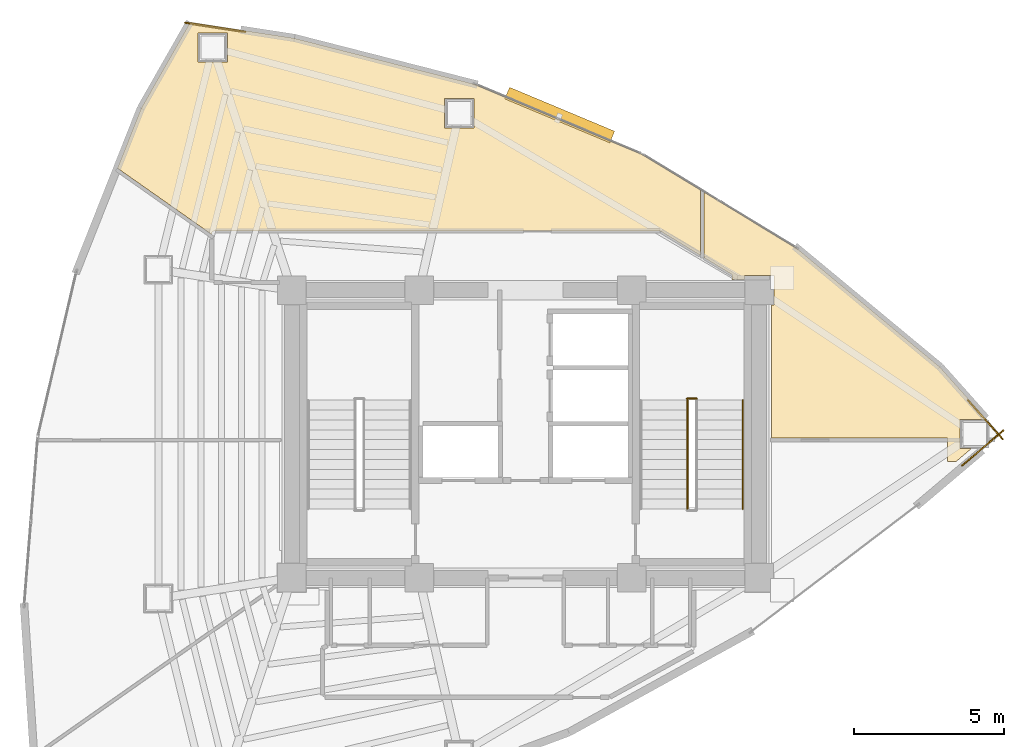
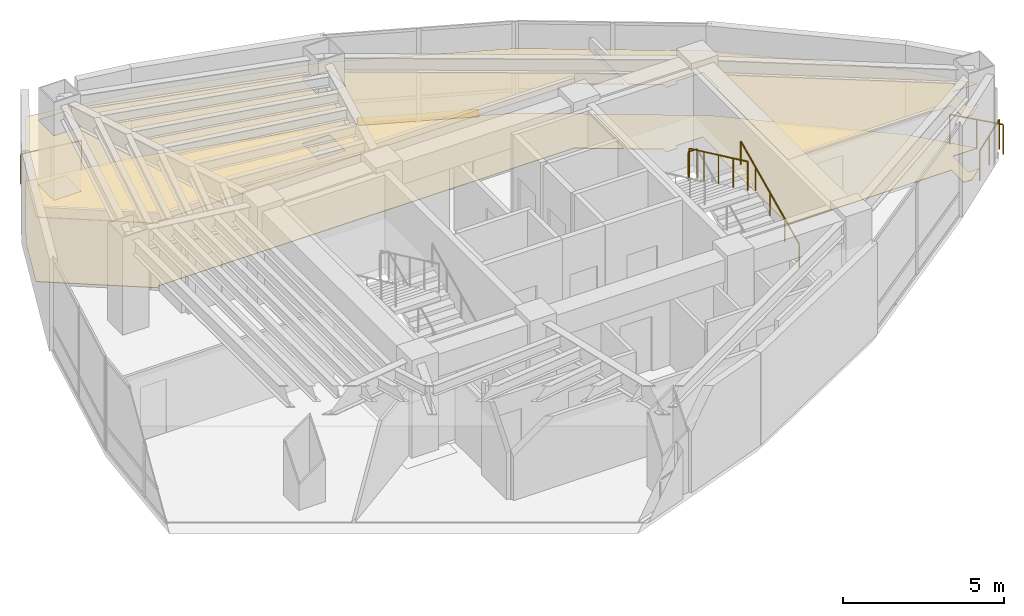
# One storey, part 15 of 15: 6 railings, 4 coverings, 1 shading device.
"""IFC4 building model written with IfcOpenShell, lengths in metres."""

from ifc_helpers import new_model, si_unit, direction, frame, origin, origin_2d, place, context, subcontext, project, spatial, polyline, rectangle, circle, outline, extrude, material, layer, layer_set, type_object, element, save


model = new_model("IFC4")

# Units and contexts
model_context = context("Model", 3, precision=1e-05, world=origin(), true_north=direction((0.0, 1.0)))
body_context = subcontext(model_context, "Body", "Model", "MODEL_VIEW")
ifc_project = project(units=[si_unit("LENGTHUNIT", "METRE"), si_unit("AREAUNIT", "SQUARE_METRE"), si_unit("VOLUMEUNIT", "CUBIC_METRE"), si_unit("PLANEANGLEUNIT", "RADIAN"), si_unit("MASSUNIT", "GRAM", prefix="KILO")], contexts=[model_context])

# Site, building, storey
site_placement = place(None, origin())
site = spatial("IfcSite", under=ifc_project, at=site_placement, CompositionType="ELEMENT")
building_placement = place(site_placement, origin())
building = spatial("IfcBuilding", under=site, at=building_placement, Name="Menara Vayukalpa", CompositionType="ELEMENT")
storey_placement = place(building_placement, frame((0.0, 0.0, 172.919921875)))
storey = spatial("IfcBuildingStorey", under=building, at=storey_placement, Name="L43", CompositionType="ELEMENT", Elevation=172.919921875)

# Coverings
ifc_material_1 = material(Name="Mineral Fibre Acoustic Ceiling Tile", Category="masonry")
ifc_layer_1 = layer(ifc_material_1, 0.02490234375)
ifc_layer_set_1 = layer_set([ifc_layer_1], Name="Mineral Fibre Acoustic Ceiling Tile")
covering_type_1 = type_object("IfcCoveringType", Name="COV-CLG1", PredefinedType="CEILING", material=ifc_layer_set_1)
covering_1_placement = place(storey_placement, frame((0.0, 0.0, 2.4501953125)))
element("IfcCovering", 1, at=covering_1_placement, inside=storey, type_object=covering_type_1, Name="L43 Executive Boardroom Acoustic Ceiling", PredefinedType="CEILING", context=body_context, shape_type="SweptSolid", body=[
    extrude(outline(polyline([(33.820068359375, 21.860107421875), (33.819091796875, 21.860107421875), (33.818115234375, 21.860107421875), (33.817138671875, 21.8603515625), (33.816162109375, 21.86083984375), (33.815185546875, 21.861083984375), (33.814453125, 21.86181640625), (33.813720703125, 21.8623046875), (33.81298828125, 21.86279296875), (33.812255859375, 21.86376953125), (33.811767578125, 21.864501953125), (33.811279296875, 21.865234375), (33.810791015625, 21.8662109375), (33.810302734375, 21.8671875), (33.810302734375, 21.867919921875), (33.81005859375, 21.868896484375), (33.81005859375, 21.8701171875), (33.81005859375, 26.31005859375), (33.889892578125, 26.31005859375), (33.889892578125, 27.2900390625), (32.909912109375, 27.2900390625), (32.909912109375, 27.14990234375), (32.489990234375, 27.14990234375), (32.489990234375, 27.322265625), (31.564697265625, 27.88427734375), (31.56396484375, 27.884765625), (31.563232421875, 27.885498046875), (31.5625, 27.88623046875), (31.561767578125, 27.886962890625), (31.561279296875, 27.887939453125), (31.560791015625, 27.888916015625), (31.560546875, 27.889892578125), (31.560302734375, 27.890869140625), (31.56005859375, 27.891845703125), (31.56005859375, 27.892822265625), (31.56005859375, 30.057373046875), (31.56005859375, 30.058349609375), (31.560302734375, 30.059326171875), (31.560302734375, 30.060302734375), (31.560791015625, 30.061279296875), (31.56103515625, 30.06201171875), (31.5615234375, 30.06298828125), (31.562255859375, 30.063720703125), (31.562744140625, 30.064453125), (31.5634765625, 30.06494140625), (31.564208984375, 30.065673828125), (31.565185546875, 30.066162109375), (31.56591796875, 30.06640625), (31.56689453125, 30.06689453125), (31.56787109375, 30.067138671875), (31.568603515625, 30.0673828125), (31.569580078125, 30.0673828125), (31.570556640625, 30.0673828125), (31.571533203125, 30.0673828125), (31.572509765625, 30.067138671875), (31.573486328125, 30.06689453125), (31.57421875, 30.06640625), (31.5751953125, 30.06591796875), (34.660888671875, 28.19140625), (34.662109375, 28.190673828125), (39.431640625, 24.2353515625), (39.43212890625, 24.23486328125), (39.432861328125, 24.234375), (40.98828125, 22.489990234375), (40.1005859375, 22.489990234375), (40.1005859375, 21.510009765625), (40.47802734375, 21.510009765625), (39.981689453125, 21.090087890625), (39.680419921875, 21.090087890625), (39.680419921875, 21.860107421875), (33.820068359375, 21.860107421875)])), origin(), (0.0, 0.0, 1.0), 0.02490234375),
])
covering_2_placement = place(storey_placement, frame((0.0, 0.0, 2.4501953125)))
element("IfcCovering", 2, at=covering_2_placement, inside=storey, type_object=covering_type_1, Name="L43 Client Conference Room Acoustic Ceiling", PredefinedType="CEILING", context=body_context, shape_type="SweptSolid", body=[
    extrude(outline(polyline([(14.402099609375, 35.739013671875), (14.40283203125, 35.73974609375), (14.4033203125, 35.740478515625), (14.404052734375, 35.7412109375), (14.40478515625, 35.741943359375), (14.40576171875, 35.742431640625), (14.406494140625, 35.742919921875), (14.407470703125, 35.743408203125), (14.408447265625, 35.74365234375), (14.409423828125, 35.743896484375), (14.410400390625, 35.743896484375), (14.411376953125, 35.743896484375), (14.412353515625, 35.743896484375), (17.879150390625, 35.2109375), (17.880126953125, 35.210693359375), (23.884765625, 33.67919921875), (23.885986328125, 33.6787109375), (29.478515625, 31.33935546875), (29.479248046875, 31.339111328125), (29.47998046875, 31.338623046875), (31.435546875, 30.150634765625), (31.436279296875, 30.150146484375), (31.43701171875, 30.149658203125), (31.437744140625, 30.14892578125), (31.4384765625, 30.148193359375), (31.43896484375, 30.1474609375), (31.439453125, 30.146484375), (31.439697265625, 30.1455078125), (31.440185546875, 30.144775390625), (31.440185546875, 30.143798828125), (31.4404296875, 30.142822265625), (31.4404296875, 30.141845703125), (31.440185546875, 30.140869140625), (31.440185546875, 30.140380859375), (31.43994140625, 30.134765625), (31.43994140625, 27.977783203125), (31.43994140625, 27.976806640625), (31.439697265625, 27.97607421875), (31.439697265625, 27.97509765625), (31.439208984375, 27.97412109375), (31.43896484375, 27.973388671875), (31.4384765625, 27.972412109375), (31.437744140625, 27.9716796875), (31.437255859375, 27.970947265625), (31.4365234375, 27.97021484375), (31.435791015625, 27.9697265625), (31.434814453125, 27.96923828125), (31.43408203125, 27.96875), (31.43310546875, 27.968505859375), (31.43212890625, 27.968017578125), (31.431396484375, 27.968017578125), (31.430419921875, 27.968017578125), (31.429443359375, 27.968017578125), (31.428466796875, 27.968017578125), (31.427490234375, 27.96826171875), (31.426513671875, 27.968505859375), (31.42578125, 27.968994140625), (31.4248046875, 27.969482421875), (30.12353515625, 28.759765625), (30.117919921875, 28.762939453125), (30.112060546875, 28.765380859375), (30.10595703125, 28.767333984375), (30.099609375, 28.768798828125), (30.093505859375, 28.769775390625), (30.0869140625, 28.77001953125), (15.2001953125, 28.77001953125), (15.193115234375, 28.76953125), (15.186279296875, 28.768798828125), (15.1796875, 28.76708984375), (15.173095703125, 28.7646484375), (15.1669921875, 28.76171875), (15.1611328125, 28.75830078125), (15.155517578125, 28.75390625), (15.150390625, 28.74951171875), (15.14599609375, 28.744384765625), (15.141845703125, 28.73876953125), (15.13818359375, 28.73291015625), (15.13525390625, 28.726806640625), (15.133056640625, 28.72021484375), (15.13134765625, 28.713623046875), (15.13037109375, 28.706787109375), (15.1298828125, 28.69970703125), (15.1298828125, 28.677001953125), (15.1298828125, 28.67578125), (15.1298828125, 28.6748046875), (15.129638671875, 28.674072265625), (15.129150390625, 28.673095703125), (15.12890625, 28.672119140625), (15.12841796875, 28.67138671875), (15.127685546875, 28.67041015625), (15.126953125, 28.669921875), (15.126220703125, 28.669189453125), (15.12548828125, 28.66845703125), (15.12451171875, 28.66796875), (15.123779296875, 28.66748046875), (15.122802734375, 28.667236328125), (15.121826171875, 28.6669921875), (15.120849609375, 28.6669921875), (15.119873046875, 28.6669921875), (15.118896484375, 28.6669921875), (15.117919921875, 28.6669921875), (15.116943359375, 28.66748046875), (15.115966796875, 28.667724609375), (15.114990234375, 28.668212890625), (15.1142578125, 28.668701171875), (11.985107421875, 30.867431640625), (11.984375, 30.8681640625), (11.983642578125, 30.868896484375), (11.983154296875, 30.869384765625), (11.982421875, 30.8701171875), (11.98193359375, 30.87109375), (11.981689453125, 30.871826171875), (11.981201171875, 30.872802734375), (11.981201171875, 30.873779296875), (11.98095703125, 30.874755859375), (11.98095703125, 30.875732421875), (11.98095703125, 30.876708984375), (11.981201171875, 30.87744140625), (11.981201171875, 30.87841796875), (11.981689453125, 30.87939453125), (12.77001953125, 32.87255859375), (12.7705078125, 32.873779296875), (14.402099609375, 35.739013671875)]), holes=[polyline([(15.644775390625, 35.392578125), (14.664794921875, 35.392578125), (14.664794921875, 34.41259765625), (15.644775390625, 34.41259765625), (15.644775390625, 35.392578125)]), polyline([(23.87939453125, 33.198486328125), (22.8994140625, 33.198486328125), (22.8994140625, 32.218505859375), (23.87939453125, 32.218505859375), (23.87939453125, 33.198486328125)])]), origin(), (0.0, 0.0, 1.0), 0.02490234375),
])
ifc_material_2 = material(Name="Porcelain Stoneware Floor Tile", Category="masonry")
ifc_layer_2 = layer(ifc_material_2, 0.02001953125)
ifc_layer_set_2 = layer_set([ifc_layer_2], Name="Porcelain Stoneware Floor Tile")
covering_type_2 = type_object("IfcCoveringType", Name="COV-FLR1", PredefinedType="FLOORING", material=ifc_layer_set_2)
covering_3_placement = place(storey_placement, origin())
element("IfcCovering", 3, at=covering_3_placement, inside=storey, type_object=covering_type_2, Name="L43 Executive Boardroom Porcelain Flooring", PredefinedType="FLOORING", context=body_context, shape_type="SweptSolid", body=[
    extrude(outline(polyline([(33.820068359375, 21.860107421875), (33.819091796875, 21.860107421875), (33.818115234375, 21.860107421875), (33.817138671875, 21.8603515625), (33.816162109375, 21.86083984375), (33.815185546875, 21.861083984375), (33.814453125, 21.86181640625), (33.813720703125, 21.8623046875), (33.81298828125, 21.86279296875), (33.812255859375, 21.86376953125), (33.811767578125, 21.864501953125), (33.811279296875, 21.865234375), (33.810791015625, 21.8662109375), (33.810302734375, 21.8671875), (33.810302734375, 21.867919921875), (33.81005859375, 21.868896484375), (33.81005859375, 21.8701171875), (33.81005859375, 26.31005859375), (33.889892578125, 26.31005859375), (33.889892578125, 27.2900390625), (32.909912109375, 27.2900390625), (32.909912109375, 27.14990234375), (32.489990234375, 27.14990234375), (32.489990234375, 27.322265625), (31.564697265625, 27.88427734375), (31.56396484375, 27.884765625), (31.563232421875, 27.885498046875), (31.5625, 27.88623046875), (31.561767578125, 27.886962890625), (31.561279296875, 27.887939453125), (31.560791015625, 27.888916015625), (31.560546875, 27.889892578125), (31.560302734375, 27.890869140625), (31.56005859375, 27.891845703125), (31.56005859375, 27.892822265625), (31.56005859375, 30.057373046875), (31.56005859375, 30.058349609375), (31.560302734375, 30.059326171875), (31.560302734375, 30.060302734375), (31.560791015625, 30.061279296875), (31.56103515625, 30.06201171875), (31.5615234375, 30.06298828125), (31.562255859375, 30.063720703125), (31.562744140625, 30.064453125), (31.5634765625, 30.06494140625), (31.564208984375, 30.065673828125), (31.565185546875, 30.066162109375), (31.56591796875, 30.06640625), (31.56689453125, 30.06689453125), (31.56787109375, 30.067138671875), (31.568603515625, 30.0673828125), (31.569580078125, 30.0673828125), (31.570556640625, 30.0673828125), (31.571533203125, 30.0673828125), (31.572509765625, 30.067138671875), (31.573486328125, 30.06689453125), (31.57421875, 30.06640625), (31.5751953125, 30.06591796875), (34.660888671875, 28.19140625), (34.662109375, 28.190673828125), (39.431640625, 24.2353515625), (39.43212890625, 24.23486328125), (39.432861328125, 24.234375), (40.98828125, 22.489990234375), (40.1005859375, 22.489990234375), (40.1005859375, 21.510009765625), (40.47802734375, 21.510009765625), (39.981689453125, 21.090087890625), (39.680419921875, 21.090087890625), (39.680419921875, 21.860107421875), (33.820068359375, 21.860107421875)])), origin(), (0.0, 0.0, 1.0), 0.02001953125),
])
covering_4_placement = place(storey_placement, origin())
element("IfcCovering", 4, at=covering_4_placement, inside=storey, type_object=covering_type_2, Name="L43 Client Conference Room Porcelain Flooring", PredefinedType="FLOORING", context=body_context, shape_type="SweptSolid", body=[
    extrude(outline(polyline([(14.402099609375, 35.739013671875), (14.40283203125, 35.73974609375), (14.4033203125, 35.740478515625), (14.404052734375, 35.7412109375), (14.40478515625, 35.741943359375), (14.40576171875, 35.742431640625), (14.406494140625, 35.742919921875), (14.407470703125, 35.743408203125), (14.408447265625, 35.74365234375), (14.409423828125, 35.743896484375), (14.410400390625, 35.743896484375), (14.411376953125, 35.743896484375), (14.412353515625, 35.743896484375), (17.879150390625, 35.2109375), (17.880126953125, 35.210693359375), (23.884765625, 33.67919921875), (23.885986328125, 33.6787109375), (29.478515625, 31.33935546875), (29.479248046875, 31.339111328125), (29.47998046875, 31.338623046875), (31.435546875, 30.150634765625), (31.436279296875, 30.150146484375), (31.43701171875, 30.149658203125), (31.437744140625, 30.14892578125), (31.4384765625, 30.148193359375), (31.43896484375, 30.1474609375), (31.439453125, 30.146484375), (31.439697265625, 30.1455078125), (31.440185546875, 30.144775390625), (31.440185546875, 30.143798828125), (31.4404296875, 30.142822265625), (31.4404296875, 30.141845703125), (31.440185546875, 30.140869140625), (31.440185546875, 30.140380859375), (31.43994140625, 30.134765625), (31.43994140625, 27.977783203125), (31.43994140625, 27.976806640625), (31.439697265625, 27.97607421875), (31.439697265625, 27.97509765625), (31.439208984375, 27.97412109375), (31.43896484375, 27.973388671875), (31.4384765625, 27.972412109375), (31.437744140625, 27.9716796875), (31.437255859375, 27.970947265625), (31.4365234375, 27.97021484375), (31.435791015625, 27.9697265625), (31.434814453125, 27.96923828125), (31.43408203125, 27.96875), (31.43310546875, 27.968505859375), (31.43212890625, 27.968017578125), (31.431396484375, 27.968017578125), (31.430419921875, 27.968017578125), (31.429443359375, 27.968017578125), (31.428466796875, 27.968017578125), (31.427490234375, 27.96826171875), (31.426513671875, 27.968505859375), (31.42578125, 27.968994140625), (31.4248046875, 27.969482421875), (30.12353515625, 28.759765625), (30.117919921875, 28.762939453125), (30.112060546875, 28.765380859375), (30.10595703125, 28.767333984375), (30.099609375, 28.768798828125), (30.093505859375, 28.769775390625), (30.0869140625, 28.77001953125), (15.2001953125, 28.77001953125), (15.193115234375, 28.76953125), (15.186279296875, 28.768798828125), (15.1796875, 28.76708984375), (15.173095703125, 28.7646484375), (15.1669921875, 28.76171875), (15.1611328125, 28.75830078125), (15.155517578125, 28.75390625), (15.150390625, 28.74951171875), (15.14599609375, 28.744384765625), (15.141845703125, 28.73876953125), (15.13818359375, 28.73291015625), (15.13525390625, 28.726806640625), (15.133056640625, 28.72021484375), (15.13134765625, 28.713623046875), (15.13037109375, 28.706787109375), (15.1298828125, 28.69970703125), (15.1298828125, 28.677001953125), (15.1298828125, 28.67578125), (15.1298828125, 28.6748046875), (15.129638671875, 28.674072265625), (15.129150390625, 28.673095703125), (15.12890625, 28.672119140625), (15.12841796875, 28.67138671875), (15.127685546875, 28.67041015625), (15.126953125, 28.669921875), (15.126220703125, 28.669189453125), (15.12548828125, 28.66845703125), (15.12451171875, 28.66796875), (15.123779296875, 28.66748046875), (15.122802734375, 28.667236328125), (15.121826171875, 28.6669921875), (15.120849609375, 28.6669921875), (15.119873046875, 28.6669921875), (15.118896484375, 28.6669921875), (15.117919921875, 28.6669921875), (15.116943359375, 28.66748046875), (15.115966796875, 28.667724609375), (15.114990234375, 28.668212890625), (15.1142578125, 28.668701171875), (11.985107421875, 30.867431640625), (11.984375, 30.8681640625), (11.983642578125, 30.868896484375), (11.983154296875, 30.869384765625), (11.982421875, 30.8701171875), (11.98193359375, 30.87109375), (11.981689453125, 30.871826171875), (11.981201171875, 30.872802734375), (11.981201171875, 30.873779296875), (11.98095703125, 30.874755859375), (11.98095703125, 30.875732421875), (11.98095703125, 30.876708984375), (11.981201171875, 30.87744140625), (11.981201171875, 30.87841796875), (11.981689453125, 30.87939453125), (12.77001953125, 32.87255859375), (12.7705078125, 32.873779296875), (14.402099609375, 35.739013671875)]), holes=[polyline([(15.644775390625, 35.392578125), (14.664794921875, 35.392578125), (14.664794921875, 34.41259765625), (15.644775390625, 34.41259765625), (15.644775390625, 35.392578125)]), polyline([(23.87939453125, 33.198486328125), (22.8994140625, 33.198486328125), (22.8994140625, 32.218505859375), (23.87939453125, 32.218505859375), (23.87939453125, 33.198486328125)])]), origin(), (0.0, 0.0, 1.0), 0.02001953125),
])

# Railings
ifc_material_3 = material(Name="Laminated Glass and Stainless Steel 316 Guardrail", Category="steel")
railing_type_1 = type_object("IfcRailingType", Name="RLG-EXT115", PredefinedType="GUARDRAIL", material=ifc_material_3)
railing_1_placement = place(storey_placement, frame((40.174072265625, 20.95166015625, 0.0)))
element("IfcRailing", 5, at=railing_1_placement, inside=storey, type_object=railing_type_1, Name="L43 Column Corner Spandrel Guardrail 01-1", PredefinedType="GUARDRAIL", context=body_context, shape_type="SweptSolid", body=[
    extrude(circle(Radius=0.02392578125, at=origin_2d()), frame((0.0, 0.0, 1.1259765625), z_axis=(0.763483853342, 0.645826916198, 0.0), x_axis=(-0.645826916198, 0.763483853342, 0.0)), (0.0, 0.0, 1.0), 1.80322265625),
    extrude(circle(Radius=0.02099609375, at=origin_2d()), origin(), (0.0, 0.0, 1.0), 1.101806640625),
    extrude(circle(Radius=0.02099609375, at=origin_2d()), frame((0.6884765625, 0.582275390625, 0.0)), (0.0, 0.0, 1.0), 1.101806640625),
    extrude(circle(Radius=0.02099609375, at=origin_2d()), frame((1.376708984375, 1.16455078125, 0.0)), (0.0, 0.0, 1.0), 1.101806640625),
])
railing_2_placement = place(storey_placement, frame((41.5302734375, 21.822021484375, 0.0)))
element("IfcRailing", 6, at=railing_2_placement, inside=storey, type_object=railing_type_1, Name="L43 Column Corner Spandrel Guardrail 02-1", PredefinedType="GUARDRAIL", context=body_context, shape_type="SweptSolid", body=[
    extrude(circle(Radius=0.02392578125, at=origin_2d()), frame((0.0, 0.0, 1.1259765625), z_axis=(-0.665572926264, 0.746332821082, 0.0), x_axis=(-0.746332821082, -0.665572926264, 0.0)), (0.0, 0.0, 1.0), 1.75341796875),
    extrude(circle(Radius=0.02099609375, at=origin_2d()), origin(), (0.0, 0.0, 1.0), 1.101806640625),
    extrude(circle(Radius=0.02099609375, at=origin_2d()), frame((-0.58349609375, 0.654296875, 0.0)), (0.0, 0.0, 1.0), 1.101806640625),
    extrude(circle(Radius=0.02099609375, at=origin_2d()), frame((-1.1669921875, 1.30859375, 0.0)), (0.0, 0.0, 1.0), 1.101806640625),
])
railing_3_placement = place(storey_placement, frame((16.241455078125, 35.422119140625, 0.0)))
element("IfcRailing", 7, at=railing_3_placement, inside=storey, type_object=railing_type_1, Name="L43 Column Corner Spandrel Guardrail 07-1", PredefinedType="GUARDRAIL", context=body_context, shape_type="SweptSolid", body=[
    extrude(circle(Radius=0.02392578125, at=origin_2d()), frame((0.0, 0.0, 1.1259765625), z_axis=(-0.988382815583, 0.151984900109, 0.0), x_axis=(-0.151984900109, -0.988382815583, 0.0)), (0.0, 0.0, 1.0), 2.030517578125),
    extrude(circle(Radius=0.02099609375, at=origin_2d()), origin(), (0.0, 0.0, 1.0), 1.101806640625),
    extrude(circle(Radius=0.02099609375, at=origin_2d()), frame((-1.00341796875, 0.154296875, 0.0)), (0.0, 0.0, 1.0), 1.101806640625),
    extrude(circle(Radius=0.02099609375, at=origin_2d()), frame((-2.0068359375, 0.30859375, 0.0)), (0.0, 0.0, 1.0), 1.101806640625),
])
ifc_material_4 = material(Name="Powder-Coated Galvanised Steel Guardrail", Category="steel")
railing_type_2 = type_object("IfcRailingType", Name="RLG-STG110", PredefinedType="GUARDRAIL", material=ifc_material_4)
railing_4_placement = place(storey_placement, frame((31.31005859375, 23.179931640625, 1.860107421875)))
element("IfcRailing", 8, at=railing_4_placement, inside=storey, type_object=railing_type_2, Name="L43 ST-2 stair guard 2", PredefinedType="GUARDRAIL", context=body_context, shape_type="SweptSolid", body=[
    extrude(circle(Radius=0.02392578125, at=origin_2d()), frame((0.0, 0.0, 1.09619140625), z_axis=(-1.0, 0.0, 0.0), x_axis=(0.0, -1.0, 0.0)), (0.0, 0.0, 1.0), 0.320068359375),
    extrude(circle(Radius=0.02099609375, at=origin_2d()), origin(), (0.0, 0.0, 1.0), 1.072021484375),
    extrude(circle(Radius=0.02099609375, at=origin_2d()), frame((-0.320068359375, 0.0, 0.0)), (0.0, 0.0, 1.0), 1.072021484375),
])
railing_5_placement = place(storey_placement, frame((31.0, 23.1298828125, 2.01513671875)))
element("IfcRailing", 9, at=railing_5_placement, inside=storey, type_object=railing_type_2, Name="L43 ST-2 stair guard 3", PredefinedType="GUARDRAIL", context=body_context, shape_type="SweptSolid", body=[
    extrude(circle(Radius=0.02392578125, at=origin_2d()), frame((0.0, 0.0, 1.09619140625), z_axis=(0.0, -0.90513990983, 0.425113800803), x_axis=(1.0, 0.0, 0.0)), (0.0, 0.0, 1.0), 4.01025390625),
    extrude(circle(Radius=0.02099609375, at=origin_2d()), origin(), (0.0, 0.0, 1.0), 1.072021484375),
    extrude(circle(Radius=0.02099609375, at=origin_2d()), frame((0.0, -0.907470703125, 0.42626953125)), (0.0, 0.0, 1.0), 1.072021484375),
    extrude(circle(Radius=0.02099609375, at=origin_2d()), frame((0.0, -1.81494140625, 0.8525390625)), (0.0, 0.0, 1.0), 1.072021484375),
    extrude(circle(Radius=0.02099609375, at=origin_2d()), frame((0.0, -2.722412109375, 1.278564453125)), (0.0, 0.0, 1.0), 1.072021484375),
    extrude(circle(Radius=0.02099609375, at=origin_2d()), frame((0.0, -3.6298828125, 1.704833984375)), (0.0, 0.0, 1.0), 1.072021484375),
])
ifc_material_5 = material(Name="Stainless Steel 316 Tubular Handrail", Category="steel")
railing_type_3 = type_object("IfcRailingType", Name="RLG-STH090", PredefinedType="HANDRAIL", material=ifc_material_5)
railing_6_placement = place(storey_placement, frame((32.85009765625, 19.5, 0.155029296875)))
element("IfcRailing", 10, at=railing_6_placement, inside=storey, type_object=railing_type_3, Name="L43 ST-2 stair handrail 1", PredefinedType="HANDRAIL", context=body_context, shape_type="SweptSolid", body=[
    extrude(circle(Radius=0.02392578125, at=origin_2d()), frame((0.0, 0.0, 0.8759765625), z_axis=(0.0, 0.90511648382, 0.425163675209), x_axis=(-1.0, 0.0, 0.0)), (0.0, 0.0, 1.0), 4.010498046875),
    extrude(circle(Radius=0.02099609375, at=origin_2d()), origin(), (0.0, 0.0, 1.0), 0.851806640625),
    extrude(circle(Radius=0.02099609375, at=origin_2d()), frame((0.0, 0.907470703125, 0.42626953125)), (0.0, 0.0, 1.0), 0.851806640625),
    extrude(circle(Radius=0.02099609375, at=origin_2d()), frame((0.0, 1.81494140625, 0.8525390625)), (0.0, 0.0, 1.0), 0.851806640625),
    extrude(circle(Radius=0.02099609375, at=origin_2d()), frame((0.0, 2.722412109375, 1.27880859375)), (0.0, 0.0, 1.0), 0.851806640625),
    extrude(circle(Radius=0.02099609375, at=origin_2d()), frame((0.0, 3.6298828125, 1.705078125)), (0.0, 0.0, 1.0), 0.851806640625),
])

# Shading device
ifc_material_6 = material(Name="Glazed Terracotta Ceramic Baguette Extrusion", Category="masonry")
ifc_layer_3 = layer(ifc_material_6, 0.1201171875)
ifc_layer_set_3 = layer_set([ifc_layer_3], Name="Glazed Terracotta Ceramic Baguette Extrusion")
shading_device_type = type_object("IfcShadingDeviceType", Name="SHD-SS1", PredefinedType="USERDEFINED", material=ifc_layer_set_3)
shading_device_placement = place(storey_placement, frame((26.740234375, 32.6474609375, -0.10009765625), z_axis=(0.0, 0.0, 1.0), x_axis=(-0.922538089456, 0.385906042324, 0.0)))
element("IfcShadingDevice", 11, at=shading_device_placement, inside=storey, type_object=shading_device_type, Name="L43 Horizontal Terracotta Sunshade Band 05", ObjectType="SUNSHADE", PredefinedType="USERDEFINED", context=body_context, shape_type="SweptSolid", body=[
    extrude(rectangle(XDim=3.800048828125, YDim=0.419921875, at=origin_2d()), origin(), (0.0, 0.0, 1.0), 0.1201171875),
])

save(model, "model.ifc")
